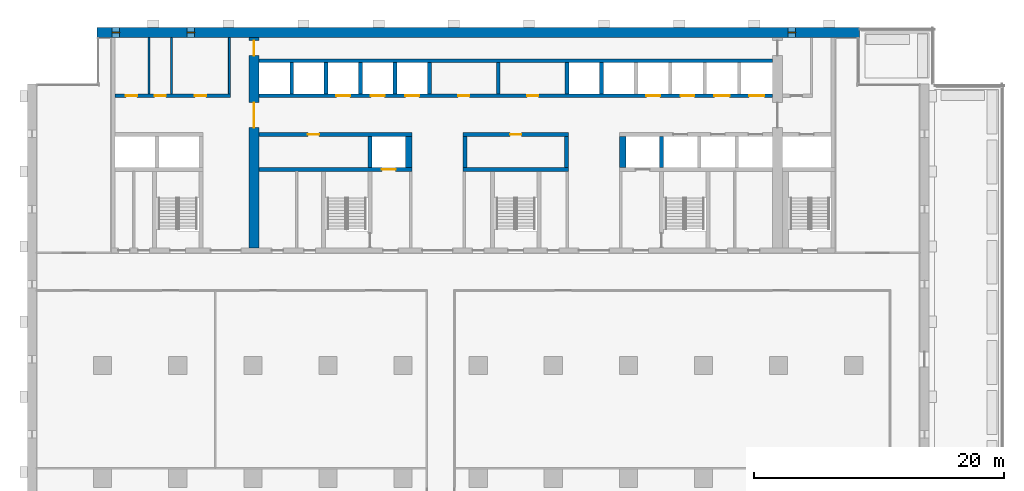
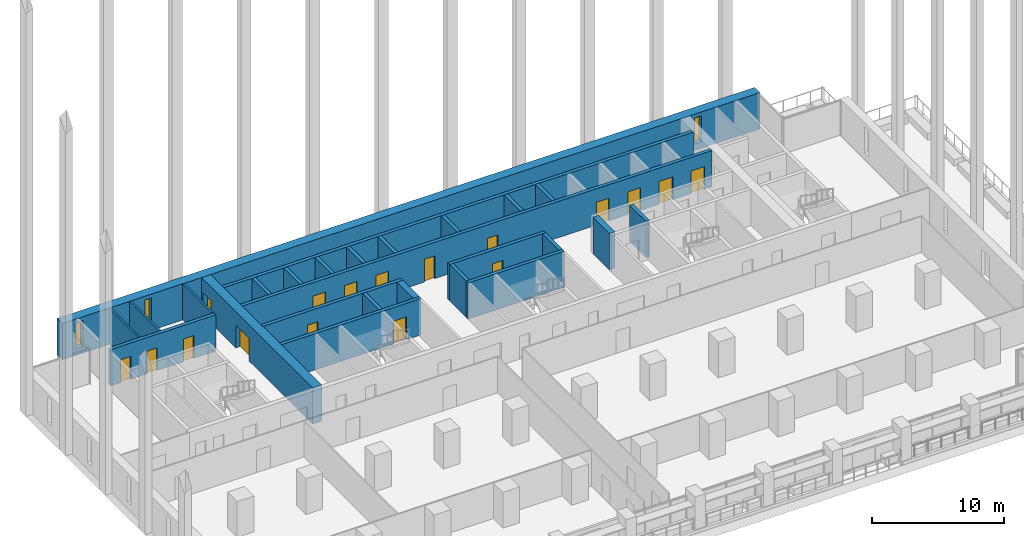
# One storey, part 10 of 18: 26 walls, 17 doors, 3 windows, 20 openings.
"""IFC4 building model written with IfcOpenShell, lengths in metres."""

from ifc_helpers import new_model, si_unit, direction, frame, frame_2d, origin, place, context, subcontext, project, spatial, rectangle, extrude, material, layer, layer_set, type_object, element, fill, save


model = new_model("IFC4")

# Units and contexts
model_context = context("Model", 3, precision=1e-05, world=origin(), true_north=direction((0.0, 1.0)))
body_context = subcontext(model_context, "Body", "Model", "MODEL_VIEW")
ifc_project = project(units=[si_unit("LENGTHUNIT", "METRE"), si_unit("AREAUNIT", "SQUARE_METRE"), si_unit("VOLUMEUNIT", "CUBIC_METRE"), si_unit("PLANEANGLEUNIT", "RADIAN"), si_unit("MASSUNIT", "GRAM", prefix="KILO")], contexts=[model_context])

# Site, building, storey
site_placement = place(None, origin())
site = spatial("IfcSite", under=ifc_project, at=site_placement, CompositionType="ELEMENT")
building_placement = place(site_placement, origin())
building = spatial("IfcBuilding", under=site, at=building_placement, Name="Calvaro Tower", CompositionType="ELEMENT")
storey_placement = place(building_placement, frame((0.0, 0.0, 95.0)))
storey = spatial("IfcBuildingStorey", under=building, at=storey_placement, Name="L23", CompositionType="ELEMENT", Elevation=95.0)

# Walls
ifc_material_1 = material(Name="Blockwork partition", Category="masonry")
ifc_layer_1 = layer(ifc_material_1, 0.14990234375)
ifc_layer_set_1 = layer_set([ifc_layer_1], Name="Blockwork partition")
wall_type_1 = type_object("IfcWallType", Name="Core partition 150 EI 60", PredefinedType="PARTITIONING", material=ifc_layer_set_1)
for number, where, z_axis, x_axis, name in (
    (1, (9.699951171875, 40.699951171875, 0.0), (0.0, 0.0, 1.0), (0.0, 1.0, 0.0), "Core partition"),
    (2, (11.5, 40.699951171875, 0.0), (0.0, 0.0, 1.0), (0.0, 1.0, 0.0), "Core partition"),
):
    element("IfcWall", number, at=place(storey_placement, frame(where, z_axis=z_axis, x_axis=x_axis)), inside=storey, type_object=wall_type_1, Name=name, PredefinedType="PARTITIONING", context=body_context, shape_type="SweptSolid", body=[
        extrude(rectangle(XDim=4.5, YDim=0.14990234375, at=frame_2d((2.25, 0.0))), origin(), (0.0, 0.0, 1.0), 3.35009765625),
    ])
ifc_material_2 = material(Name="Blockwork partition", Category="masonry")
ifc_layer_2 = layer(ifc_material_2, 0.14990234375)
ifc_layer_set_2 = layer_set([ifc_layer_2], Name="Blockwork partition")
wall_type_2 = type_object("IfcWallType", Name="Core partition 150 REI 120", PredefinedType="PARTITIONING", material=ifc_layer_set_2)
wall_1_placement = place(storey_placement, frame((16.125, 40.699951171875, 0.0), z_axis=(0.0, 0.0, 1.0), x_axis=(0.0, 1.0, 0.0)))
element("IfcWall", 3, at=wall_1_placement, inside=storey, type_object=wall_type_2, Name="Core partition", PredefinedType="PARTITIONING", context=body_context, shape_type="SweptSolid", body=[
    extrude(rectangle(XDim=4.5, YDim=0.14990234375, at=frame_2d((2.25, 0.0))), origin(), (0.0, 0.0, 1.0), 3.35009765625),
])

# Wall, openings, doors
ifc_material_3 = material(Name="Blockwork partition", Category="masonry")
ifc_layer_3 = layer(ifc_material_3, 0.300048828125)
ifc_layer_set_3 = layer_set([ifc_layer_3], Name="Blockwork partition")
wall_type_3 = type_object("IfcWallType", Name="Core partition 300 REI 120", PredefinedType="PARTITIONING", material=ifc_layer_set_3)
wall_2_placement = place(storey_placement, frame((7.0, 40.550048828125, 0.0), z_axis=(0.0, 0.0, 1.0), x_axis=(1.0, 0.0, 0.0)))
wall_2 = element("IfcWall", 4, at=wall_2_placement, inside=storey, type_object=wall_type_3, Name="Core partition", PredefinedType="PARTITIONING", context=body_context, shape_type="SweptSolid", body=[
    extrude(rectangle(XDim=9.199951171875, YDim=0.300048828125, at=frame_2d((4.60009765625, 0.0))), origin(), (0.0, 0.0, 1.0), 3.35009765625),
])
opening_1_placement = place(wall_2_placement, frame((0.862548828125, 0.0, 0.0)))
opening_1 = element("IfcOpeningElement", 5, at=opening_1_placement, cuts=wall_2, Name="Opening RD9", PredefinedType="OPENING", context=body_context, shape_type="SweptSolid", body=[
    extrude(rectangle(XDim=0.89990234375, YDim=2.10009765625, at=frame_2d((0.449951171875, 1.050048828125))), frame((0.0, 0.159912109375, 0.0), z_axis=(0.0, -1.0, 0.0), x_axis=(1.0, 0.0, 0.0)), (0.0, 0.0, 1.0), 0.320068359375),
])
opening_2_placement = place(wall_2_placement, frame((3.14990234375, 0.0, 0.0)))
opening_2 = element("IfcOpeningElement", 6, at=opening_2_placement, cuts=wall_2, Name="Opening RD9", PredefinedType="OPENING", context=body_context, shape_type="SweptSolid", body=[
    extrude(rectangle(XDim=0.89990234375, YDim=2.10009765625, at=frame_2d((0.449951171875, 1.050048828125))), frame((0.0, 0.159912109375, 0.0), z_axis=(0.0, -1.0, 0.0), x_axis=(1.0, 0.0, 0.0)), (0.0, 0.0, 1.0), 0.320068359375),
])
opening_3_placement = place(wall_2_placement, frame((6.362548828125, 0.0, 0.0)))
opening_3 = element("IfcOpeningElement", 7, at=opening_3_placement, cuts=wall_2, Name="Opening RD9", PredefinedType="OPENING", context=body_context, shape_type="SweptSolid", body=[
    extrude(rectangle(XDim=0.89990234375, YDim=2.10009765625, at=frame_2d((0.449951171875, 1.050048828125))), frame((0.0, 0.159912109375, 0.0), z_axis=(0.0, -1.0, 0.0), x_axis=(1.0, 0.0, 0.0)), (0.0, 0.0, 1.0), 0.320068359375),
])
ifc_material_4 = material(Name="Steel door set", Category="steel")
door_type_1 = type_object("IfcDoorType", Name="Room door 900", OperationType="SINGLE_SWING_LEFT", PredefinedType="DOOR", material=ifc_material_4)
door_1_placement = place(opening_1_placement, origin())
door_1 = element("IfcDoor", 8, at=door_1_placement, inside=storey, type_object=door_type_1, Name="Room door", OperationType="SINGLE_SWING_LEFT", OverallHeight=2.10009765625, OverallWidth=0.89990234375, PredefinedType="DOOR", context=body_context, shape_type="SweptSolid", body=[
    extrude(rectangle(XDim=0.89990234375, YDim=2.10009765625, at=frame_2d((0.449951171875, 1.050048828125))), frame((0.0, 0.02490234375, 0.0), z_axis=(0.0, -1.0, 0.0), x_axis=(1.0, 0.0, 0.0)), (0.0, 0.0, 1.0), 0.050048828125),
])
fill(opening_1, door_1)
door_2_placement = place(opening_2_placement, origin())
door_2 = element("IfcDoor", 9, at=door_2_placement, inside=storey, type_object=door_type_1, Name="Room door", OperationType="SINGLE_SWING_LEFT", OverallHeight=2.10009765625, OverallWidth=0.89990234375, PredefinedType="DOOR", context=body_context, shape_type="SweptSolid", body=[
    extrude(rectangle(XDim=0.89990234375, YDim=2.10009765625, at=frame_2d((0.449951171875, 1.050048828125))), frame((0.0, 0.02490234375, 0.0), z_axis=(0.0, -1.0, 0.0), x_axis=(1.0, 0.0, 0.0)), (0.0, 0.0, 1.0), 0.050048828125),
])
fill(opening_2, door_2)
door_3_placement = place(opening_3_placement, origin())
door_3 = element("IfcDoor", 10, at=door_3_placement, inside=storey, type_object=door_type_1, Name="Room door", OperationType="SINGLE_SWING_LEFT", OverallHeight=2.10009765625, OverallWidth=0.89990234375, PredefinedType="DOOR", context=body_context, shape_type="SweptSolid", body=[
    extrude(rectangle(XDim=0.89990234375, YDim=2.10009765625, at=frame_2d((0.449951171875, 1.050048828125))), frame((0.0, 0.02490234375, 0.0), z_axis=(0.0, -1.0, 0.0), x_axis=(1.0, 0.0, 0.0)), (0.0, 0.0, 1.0), 0.050048828125),
])
fill(opening_3, door_3)

# Wall
wall_3_placement = place(storey_placement, frame((37.60009765625, 40.699951171875, 0.0), z_axis=(0.0, 0.0, 1.0), x_axis=(0.0, 1.0, 0.0)))
element("IfcWall", 11, at=wall_3_placement, inside=storey, type_object=wall_type_3, Name="Core partition", PredefinedType="PARTITIONING", context=body_context, shape_type="SweptSolid", body=[
    extrude(rectangle(XDim=2.5, YDim=0.300048828125, at=frame_2d((1.25, 0.0))), origin(), (0.0, 0.0, 1.0), 3.35009765625),
])

# Wall, opening, door
ifc_material_5 = material(Name="Concrete C60/75", Category="concrete")
ifc_layer_4 = layer(ifc_material_5, 0.300048828125)
ifc_layer_set_4 = layer_set([ifc_layer_4], Name="Concrete C60/75")
wall_type_4 = type_object("IfcWallType", Name="Core wall C60/75 300", PredefinedType="SHEAR", material=ifc_layer_set_4)
wall_4_placement = place(storey_placement, frame((18.5, 34.64990234375, 0.0), z_axis=(0.0, 0.0, 1.0), x_axis=(1.0, 0.0, 0.0)))
wall_4 = element("IfcWall", 12, at=wall_4_placement, inside=storey, type_object=wall_type_4, Name="Core wall, lift shaft", PredefinedType="SHEAR", context=body_context, shape_type="SweptSolid", body=[
    extrude(rectangle(XDim=12.199951171875, YDim=0.300048828125, at=frame_2d((6.10009765625, 0.0))), origin(), (0.0, 0.0, 1.0), 3.35009765625),
])
opening_4_placement = place(wall_4_placement, frame((9.800048828125, 0.0, 0.0)))
opening_4 = element("IfcOpeningElement", 13, at=opening_4_placement, cuts=wall_4, Name="Opening FF1", PredefinedType="OPENING", context=body_context, shape_type="SweptSolid", body=[
    extrude(rectangle(XDim=1.10009765625, YDim=2.10009765625, at=frame_2d((0.550048828125, 1.050048828125))), frame((0.0, 0.159912109375, 0.0), z_axis=(0.0, -1.0, 0.0), x_axis=(1.0, 0.0, 0.0)), (0.0, 0.0, 1.0), 0.320068359375),
])
ifc_material_6 = material(Name="Stainless steel", Category="steel")
door_type_2 = type_object("IfcDoorType", Name="Landing door 1100 E 60", OperationType="SLIDING_TO_LEFT", PredefinedType="DOOR", material=ifc_material_6)
door_4_placement = place(opening_4_placement, origin())
door_4 = element("IfcDoor", 14, at=door_4_placement, inside=storey, type_object=door_type_2, Name="Landing door FF1", OperationType="SLIDING_TO_LEFT", OverallHeight=2.10009765625, OverallWidth=1.10009765625, PredefinedType="DOOR", context=body_context, shape_type="SweptSolid", body=[
    extrude(rectangle(XDim=1.10009765625, YDim=2.10009765625, at=frame_2d((0.550048828125, 1.050048828125))), frame((0.0, 0.02490234375, 0.0), z_axis=(0.0, -1.0, 0.0), x_axis=(1.0, 0.0, 0.0)), (0.0, 0.0, 1.0), 0.050048828125),
])
fill(opening_4, door_4)

# Wall
wall_5_placement = place(storey_placement, frame((34.800048828125, 34.64990234375, 0.0), z_axis=(0.0, 0.0, 1.0), x_axis=(1.0, 0.0, 0.0)))
element("IfcWall", 15, at=wall_5_placement, inside=storey, type_object=wall_type_4, Name="Core wall, lift shaft", PredefinedType="SHEAR", context=body_context, shape_type="SweptSolid", body=[
    extrude(rectangle(XDim=8.39990234375, YDim=0.300048828125, at=frame_2d((4.199951171875, 0.0))), origin(), (0.0, 0.0, 1.0), 3.35009765625),
])

# Wall, opening, door
wall_6_placement = place(storey_placement, frame((30.699951171875, 37.449951171875, 0.0), z_axis=(0.0, 0.0, 1.0), x_axis=(-1.0, 0.0, 0.0)))
wall_6 = element("IfcWall", 16, at=wall_6_placement, inside=storey, type_object=wall_type_4, Name="Core wall, bay", PredefinedType="SHEAR", context=body_context, shape_type="SweptSolid", body=[
    extrude(rectangle(XDim=12.199951171875, YDim=0.300048828125, at=frame_2d((6.10009765625, 0.0))), origin(), (0.0, 0.0, 1.0), 3.35009765625),
])
opening_5_placement = place(wall_6_placement, frame((7.39990234375, 0.0, 0.0)))
opening_5 = element("IfcOpeningElement", 17, at=opening_5_placement, cuts=wall_6, Name="Opening RD9E", PredefinedType="OPENING", context=body_context, shape_type="SweptSolid", body=[
    extrude(rectangle(XDim=0.89990234375, YDim=2.10009765625, at=frame_2d((0.449951171875, 1.050048828125))), frame((0.0, 0.159912109375, 0.0), z_axis=(0.0, -1.0, 0.0), x_axis=(1.0, 0.0, 0.0)), (0.0, 0.0, 1.0), 0.320068359375),
])
ifc_material_7 = material(Name="Steel door set", Category="steel")
door_type_3 = type_object("IfcDoorType", Name="Room door 900 FD60", OperationType="SINGLE_SWING_LEFT", PredefinedType="DOOR", material=ifc_material_7)
door_5_placement = place(opening_5_placement, origin())
door_5 = element("IfcDoor", 18, at=door_5_placement, inside=storey, type_object=door_type_3, Name="Room door", OperationType="SINGLE_SWING_LEFT", OverallHeight=2.10009765625, OverallWidth=0.89990234375, PredefinedType="DOOR", context=body_context, shape_type="SweptSolid", body=[
    extrude(rectangle(XDim=0.89990234375, YDim=2.10009765625, at=frame_2d((0.449951171875, 1.050048828125))), frame((0.0, 0.02490234375, 0.0), z_axis=(0.0, -1.0, 0.0), x_axis=(1.0, 0.0, 0.0)), (0.0, 0.0, 1.0), 0.050048828125),
])
fill(opening_5, door_5)

wall_7_placement = place(storey_placement, frame((43.199951171875, 37.449951171875, 0.0), z_axis=(0.0, 0.0, 1.0), x_axis=(-1.0, 0.0, 0.0)))
wall_7 = element("IfcWall", 19, at=wall_7_placement, inside=storey, type_object=wall_type_4, Name="Core wall, bay", PredefinedType="SHEAR", context=body_context, shape_type="SweptSolid", body=[
    extrude(rectangle(XDim=8.39990234375, YDim=0.300048828125, at=frame_2d((4.199951171875, 0.0))), origin(), (0.0, 0.0, 1.0), 3.35009765625),
])
opening_6_placement = place(wall_7_placement, frame((3.75, 0.0, 0.0)))
opening_6 = element("IfcOpeningElement", 20, at=opening_6_placement, cuts=wall_7, Name="Opening RD9E", PredefinedType="OPENING", context=body_context, shape_type="SweptSolid", body=[
    extrude(rectangle(XDim=0.89990234375, YDim=2.10009765625, at=frame_2d((0.449951171875, 1.050048828125))), frame((0.0, 0.159912109375, 0.0), z_axis=(0.0, -1.0, 0.0), x_axis=(1.0, 0.0, 0.0)), (0.0, 0.0, 1.0), 0.320068359375),
])
door_6_placement = place(opening_6_placement, origin())
door_6 = element("IfcDoor", 21, at=door_6_placement, inside=storey, type_object=door_type_3, Name="Room door", OperationType="SINGLE_SWING_RIGHT", OverallHeight=2.10009765625, OverallWidth=0.89990234375, PredefinedType="DOOR", context=body_context, shape_type="SweptSolid", body=[
    extrude(rectangle(XDim=0.89990234375, YDim=2.10009765625, at=frame_2d((0.449951171875, 1.050048828125))), frame((0.0, 0.02490234375, 0.0), z_axis=(0.0, -1.0, 0.0), x_axis=(1.0, 0.0, 0.0)), (0.0, 0.0, 1.0), 0.050048828125),
])
fill(opening_6, door_6)

# Walls
for number, where, z_axis, x_axis, name in (
    (22, (27.35009765625, 34.800048828125, 0.0), (0.0, 0.0, 1.0), (0.0, 1.0, 0.0), "Core wall, lift shaft"),
    (23, (34.949951171875, 34.800048828125, 0.0), (0.0, 0.0, 1.0), (0.0, 1.0, 0.0), "Core wall, lift shaft"),
    (24, (43.050048828125, 34.800048828125, 0.0), (0.0, 0.0, 1.0), (0.0, 1.0, 0.0), "Core wall, lift shaft"),
    (25, (50.64990234375, 34.800048828125, 0.0), (0.0, 0.0, 1.0), (0.0, 1.0, 0.0), "Core wall, lift shaft"),
):
    element("IfcWall", number, at=place(storey_placement, frame(where, z_axis=z_axis, x_axis=x_axis)), inside=storey, type_object=wall_type_4, Name=name, PredefinedType="SHEAR", context=body_context, shape_type="SweptSolid", body=[
        extrude(rectangle(XDim=2.5, YDim=0.300048828125, at=frame_2d((1.25, 0.0))), origin(), (0.0, 0.0, 1.0), 3.35009765625),
    ])

# Wall, openings, doors
wall_8_placement = place(storey_placement, frame((18.5, 40.550048828125, 0.0), z_axis=(0.0, 0.0, 1.0), x_axis=(1.0, 0.0, 0.0)))
wall_8 = element("IfcWall", 26, at=wall_8_placement, inside=storey, type_object=wall_type_4, Name="Core wall, bay", PredefinedType="SHEAR", context=body_context, shape_type="SweptSolid", body=[
    extrude(rectangle(XDim=41.0, YDim=0.300048828125, at=frame_2d((20.5, 0.0))), origin(), (0.0, 0.0, 1.0), 3.35009765625),
])
opening_7_placement = place(wall_8_placement, frame((15.89990234375, 0.0, 0.0)))
opening_7 = element("IfcOpeningElement", 27, at=opening_7_placement, cuts=wall_8, Name="Opening RD9E", PredefinedType="OPENING", context=body_context, shape_type="SweptSolid", body=[
    extrude(rectangle(XDim=0.89990234375, YDim=2.10009765625, at=frame_2d((0.449951171875, 1.050048828125))), frame((0.0, 0.159912109375, 0.0), z_axis=(0.0, -1.0, 0.0), x_axis=(1.0, 0.0, 0.0)), (0.0, 0.0, 1.0), 0.320068359375),
])
opening_8_placement = place(wall_8_placement, frame((21.39990234375, 0.0, 0.0)))
opening_8 = element("IfcOpeningElement", 28, at=opening_8_placement, cuts=wall_8, Name="Opening RD9E", PredefinedType="OPENING", context=body_context, shape_type="SweptSolid", body=[
    extrude(rectangle(XDim=0.89990234375, YDim=2.10009765625, at=frame_2d((0.449951171875, 1.050048828125))), frame((0.0, 0.159912109375, 0.0), z_axis=(0.0, -1.0, 0.0), x_axis=(1.0, 0.0, 0.0)), (0.0, 0.0, 1.0), 0.320068359375),
])
opening_9_placement = place(wall_8_placement, frame((6.175048828125, 0.0, 0.0)))
opening_9 = element("IfcOpeningElement", 29, at=opening_9_placement, cuts=wall_8, Name="Opening MR4", PredefinedType="OPENING", context=body_context, shape_type="SweptSolid", body=[
    extrude(rectangle(XDim=1.10009765625, YDim=2.10009765625, at=frame_2d((0.550048828125, 1.050048828125))), frame((0.0, 0.159912109375, 0.0), z_axis=(0.0, -1.0, 0.0), x_axis=(1.0, 0.0, 0.0)), (0.0, 0.0, 1.0), 0.320068359375),
])
opening_10_placement = place(wall_8_placement, frame((8.925048828125, 0.0, 0.0)))
opening_10 = element("IfcOpeningElement", 30, at=opening_10_placement, cuts=wall_8, Name="Opening MR5", PredefinedType="OPENING", context=body_context, shape_type="SweptSolid", body=[
    extrude(rectangle(XDim=1.10009765625, YDim=2.10009765625, at=frame_2d((0.550048828125, 1.050048828125))), frame((0.0, 0.159912109375, 0.0), z_axis=(0.0, -1.0, 0.0), x_axis=(1.0, 0.0, 0.0)), (0.0, 0.0, 1.0), 0.320068359375),
])
opening_11_placement = place(wall_8_placement, frame((11.675048828125, 0.0, 0.0)))
opening_11 = element("IfcOpeningElement", 31, at=opening_11_placement, cuts=wall_8, Name="Opening MR6", PredefinedType="OPENING", context=body_context, shape_type="SweptSolid", body=[
    extrude(rectangle(XDim=1.10009765625, YDim=2.10009765625, at=frame_2d((0.550048828125, 1.050048828125))), frame((0.0, 0.159912109375, 0.0), z_axis=(0.0, -1.0, 0.0), x_axis=(1.0, 0.0, 0.0)), (0.0, 0.0, 1.0), 0.320068359375),
])
opening_12_placement = place(wall_8_placement, frame((30.925048828125, 0.0, 0.0)))
opening_12 = element("IfcOpeningElement", 32, at=opening_12_placement, cuts=wall_8, Name="Opening MR7", PredefinedType="OPENING", context=body_context, shape_type="SweptSolid", body=[
    extrude(rectangle(XDim=1.10009765625, YDim=2.10009765625, at=frame_2d((0.550048828125, 1.050048828125))), frame((0.0, 0.159912109375, 0.0), z_axis=(0.0, -1.0, 0.0), x_axis=(1.0, 0.0, 0.0)), (0.0, 0.0, 1.0), 0.320068359375),
])
opening_13_placement = place(wall_8_placement, frame((33.675048828125, 0.0, 0.0)))
opening_13 = element("IfcOpeningElement", 33, at=opening_13_placement, cuts=wall_8, Name="Opening MR8", PredefinedType="OPENING", context=body_context, shape_type="SweptSolid", body=[
    extrude(rectangle(XDim=1.10009765625, YDim=2.10009765625, at=frame_2d((0.550048828125, 1.050048828125))), frame((0.0, 0.159912109375, 0.0), z_axis=(0.0, -1.0, 0.0), x_axis=(1.0, 0.0, 0.0)), (0.0, 0.0, 1.0), 0.320068359375),
])
opening_14_placement = place(wall_8_placement, frame((36.375, 0.0, 0.0)))
opening_14 = element("IfcOpeningElement", 34, at=opening_14_placement, cuts=wall_8, Name="Opening SV1", PredefinedType="OPENING", context=body_context, shape_type="SweptSolid", body=[
    extrude(rectangle(XDim=1.199951171875, YDim=2.10009765625, at=frame_2d((0.60009765625, 1.050048828125))), frame((0.0, 0.159912109375, 0.0), z_axis=(0.0, -1.0, 0.0), x_axis=(1.0, 0.0, 0.0)), (0.0, 0.0, 1.0), 0.320068359375),
])
opening_15_placement = place(wall_8_placement, frame((39.14990234375, 0.0, 0.0)))
opening_15 = element("IfcOpeningElement", 35, at=opening_15_placement, cuts=wall_8, Name="Opening SV2", PredefinedType="OPENING", context=body_context, shape_type="SweptSolid", body=[
    extrude(rectangle(XDim=1.199951171875, YDim=2.10009765625, at=frame_2d((0.60009765625, 1.050048828125))), frame((0.0, 0.159912109375, 0.0), z_axis=(0.0, -1.0, 0.0), x_axis=(1.0, 0.0, 0.0)), (0.0, 0.0, 1.0), 0.320068359375),
])
door_7_placement = place(opening_9_placement, origin())
door_7 = element("IfcDoor", 36, at=door_7_placement, inside=storey, type_object=door_type_2, Name="Landing door MR4", OperationType="SLIDING_TO_LEFT", OverallHeight=2.10009765625, OverallWidth=1.10009765625, PredefinedType="DOOR", context=body_context, shape_type="SweptSolid", body=[
    extrude(rectangle(XDim=1.10009765625, YDim=2.10009765625, at=frame_2d((0.550048828125, 1.050048828125))), frame((0.0, 0.02490234375, 0.0), z_axis=(0.0, -1.0, 0.0), x_axis=(1.0, 0.0, 0.0)), (0.0, 0.0, 1.0), 0.050048828125),
])
fill(opening_9, door_7)
door_8_placement = place(opening_10_placement, origin())
door_8 = element("IfcDoor", 37, at=door_8_placement, inside=storey, type_object=door_type_2, Name="Landing door MR5", OperationType="SLIDING_TO_LEFT", OverallHeight=2.10009765625, OverallWidth=1.10009765625, PredefinedType="DOOR", context=body_context, shape_type="SweptSolid", body=[
    extrude(rectangle(XDim=1.10009765625, YDim=2.10009765625, at=frame_2d((0.550048828125, 1.050048828125))), frame((0.0, 0.02490234375, 0.0), z_axis=(0.0, -1.0, 0.0), x_axis=(1.0, 0.0, 0.0)), (0.0, 0.0, 1.0), 0.050048828125),
])
fill(opening_10, door_8)
door_9_placement = place(opening_11_placement, origin())
door_9 = element("IfcDoor", 38, at=door_9_placement, inside=storey, type_object=door_type_2, Name="Landing door MR6", OperationType="SLIDING_TO_LEFT", OverallHeight=2.10009765625, OverallWidth=1.10009765625, PredefinedType="DOOR", context=body_context, shape_type="SweptSolid", body=[
    extrude(rectangle(XDim=1.10009765625, YDim=2.10009765625, at=frame_2d((0.550048828125, 1.050048828125))), frame((0.0, 0.02490234375, 0.0), z_axis=(0.0, -1.0, 0.0), x_axis=(1.0, 0.0, 0.0)), (0.0, 0.0, 1.0), 0.050048828125),
])
fill(opening_11, door_9)
door_10_placement = place(opening_12_placement, origin())
door_10 = element("IfcDoor", 39, at=door_10_placement, inside=storey, type_object=door_type_2, Name="Landing door MR7", OperationType="SLIDING_TO_LEFT", OverallHeight=2.10009765625, OverallWidth=1.10009765625, PredefinedType="DOOR", context=body_context, shape_type="SweptSolid", body=[
    extrude(rectangle(XDim=1.10009765625, YDim=2.10009765625, at=frame_2d((0.550048828125, 1.050048828125))), frame((0.0, 0.02490234375, 0.0), z_axis=(0.0, -1.0, 0.0), x_axis=(1.0, 0.0, 0.0)), (0.0, 0.0, 1.0), 0.050048828125),
])
fill(opening_12, door_10)
door_11_placement = place(opening_13_placement, origin())
door_11 = element("IfcDoor", 40, at=door_11_placement, inside=storey, type_object=door_type_2, Name="Landing door MR8", OperationType="SLIDING_TO_LEFT", OverallHeight=2.10009765625, OverallWidth=1.10009765625, PredefinedType="DOOR", context=body_context, shape_type="SweptSolid", body=[
    extrude(rectangle(XDim=1.10009765625, YDim=2.10009765625, at=frame_2d((0.550048828125, 1.050048828125))), frame((0.0, 0.02490234375, 0.0), z_axis=(0.0, -1.0, 0.0), x_axis=(1.0, 0.0, 0.0)), (0.0, 0.0, 1.0), 0.050048828125),
])
fill(opening_13, door_11)
ifc_material_8 = material(Name="Stainless steel", Category="steel")
door_type_4 = type_object("IfcDoorType", Name="Landing door 1200 E 60", OperationType="SLIDING_TO_LEFT", PredefinedType="DOOR", material=ifc_material_8)
door_12_placement = place(opening_14_placement, origin())
door_12 = element("IfcDoor", 41, at=door_12_placement, inside=storey, type_object=door_type_4, Name="Landing door SV1", OperationType="SLIDING_TO_LEFT", OverallHeight=2.10009765625, OverallWidth=1.199951171875, PredefinedType="DOOR", context=body_context, shape_type="SweptSolid", body=[
    extrude(rectangle(XDim=1.199951171875, YDim=2.10009765625, at=frame_2d((0.60009765625, 1.050048828125))), frame((0.0, 0.02490234375, 0.0), z_axis=(0.0, -1.0, 0.0), x_axis=(1.0, 0.0, 0.0)), (0.0, 0.0, 1.0), 0.050048828125),
])
fill(opening_14, door_12)
door_13_placement = place(opening_15_placement, origin())
door_13 = element("IfcDoor", 42, at=door_13_placement, inside=storey, type_object=door_type_4, Name="Landing door SV2", OperationType="SLIDING_TO_LEFT", OverallHeight=2.10009765625, OverallWidth=1.199951171875, PredefinedType="DOOR", context=body_context, shape_type="SweptSolid", body=[
    extrude(rectangle(XDim=1.199951171875, YDim=2.10009765625, at=frame_2d((0.60009765625, 1.050048828125))), frame((0.0, 0.02490234375, 0.0), z_axis=(0.0, -1.0, 0.0), x_axis=(1.0, 0.0, 0.0)), (0.0, 0.0, 1.0), 0.050048828125),
])
fill(opening_15, door_13)
door_14_placement = place(opening_7_placement, origin())
door_14 = element("IfcDoor", 43, at=door_14_placement, inside=storey, type_object=door_type_3, Name="Room door", OperationType="SINGLE_SWING_LEFT", OverallHeight=2.10009765625, OverallWidth=0.89990234375, PredefinedType="DOOR", context=body_context, shape_type="SweptSolid", body=[
    extrude(rectangle(XDim=0.89990234375, YDim=2.10009765625, at=frame_2d((0.449951171875, 1.050048828125))), frame((0.0, 0.02490234375, 0.0), z_axis=(0.0, -1.0, 0.0), x_axis=(1.0, 0.0, 0.0)), (0.0, 0.0, 1.0), 0.050048828125),
])
fill(opening_7, door_14)
door_15_placement = place(opening_8_placement, origin())
door_15 = element("IfcDoor", 44, at=door_15_placement, inside=storey, type_object=door_type_3, Name="Room door", OperationType="SINGLE_SWING_LEFT", OverallHeight=2.10009765625, OverallWidth=0.89990234375, PredefinedType="DOOR", context=body_context, shape_type="SweptSolid", body=[
    extrude(rectangle(XDim=0.89990234375, YDim=2.10009765625, at=frame_2d((0.449951171875, 1.050048828125))), frame((0.0, 0.02490234375, 0.0), z_axis=(0.0, -1.0, 0.0), x_axis=(1.0, 0.0, 0.0)), (0.0, 0.0, 1.0), 0.050048828125),
])
fill(opening_8, door_15)

# Walls
wall_9_placement = place(storey_placement, frame((18.5, 43.35009765625, 0.0), z_axis=(0.0, 0.0, 1.0), x_axis=(1.0, 0.0, 0.0)))
element("IfcWall", 45, at=wall_9_placement, inside=storey, type_object=wall_type_4, Name="Core wall, lift shaft", PredefinedType="SHEAR", context=body_context, shape_type="SweptSolid", body=[
    extrude(rectangle(XDim=41.0, YDim=0.300048828125, at=frame_2d((20.5, 0.0))), origin(), (0.0, 0.0, 1.0), 3.35009765625),
])
for number, where, z_axis, x_axis, name in (
    (46, (21.10009765625, 40.699951171875, 0.0), (0.0, 0.0, 1.0), (0.0, 1.0, 0.0), "Core wall, lift shaft"),
    (47, (23.85009765625, 40.699951171875, 0.0), (0.0, 0.0, 1.0), (0.0, 1.0, 0.0), "Core wall, lift shaft"),
    (48, (26.60009765625, 40.699951171875, 0.0), (0.0, 0.0, 1.0), (0.0, 1.0, 0.0), "Core wall, lift shaft"),
    (49, (29.35009765625, 40.699951171875, 0.0), (0.0, 0.0, 1.0), (0.0, 1.0, 0.0), "Core wall, lift shaft"),
    (50, (32.10009765625, 40.699951171875, 0.0), (0.0, 0.0, 1.0), (0.0, 1.0, 0.0), "Core wall, lift shaft"),
    (51, (43.10009765625, 40.699951171875, 0.0), (0.0, 0.0, 1.0), (0.0, 1.0, 0.0), "Core wall, lift shaft"),
    (52, (45.85009765625, 40.699951171875, 0.0), (0.0, 0.0, 1.0), (0.0, 1.0, 0.0), "Core wall, lift shaft"),
):
    element("IfcWall", number, at=place(storey_placement, frame(where, z_axis=z_axis, x_axis=x_axis)), inside=storey, type_object=wall_type_4, Name=name, PredefinedType="SHEAR", context=body_context, shape_type="SweptSolid", body=[
        extrude(rectangle(XDim=2.5, YDim=0.300048828125, at=frame_2d((1.25, 0.0))), origin(), (0.0, 0.0, 1.0), 3.35009765625),
    ])
ifc_material_9 = material(Name="Concrete C60/75", Category="concrete")
ifc_layer_5 = layer(ifc_material_9, 0.5)
ifc_layer_set_5 = layer_set([ifc_layer_5], Name="Concrete C60/75")
wall_type_5 = type_object("IfcWallType", Name="Core wall C60/75 500", PredefinedType="SHEAR", material=ifc_layer_set_5)
for number, where, z_axis, x_axis, name in (
    (53, (30.449951171875, 34.800048828125, 0.0), (0.0, 0.0, 1.0), (0.0, 1.0, 0.0), "Core wall, lift shaft"),
    (54, (47.550048828125, 34.800048828125, 0.0), (0.0, 0.0, 1.0), (0.0, 1.0, 0.0), "Core wall, lift shaft"),
):
    element("IfcWall", number, at=place(storey_placement, frame(where, z_axis=z_axis, x_axis=x_axis)), inside=storey, type_object=wall_type_5, Name=name, PredefinedType="SHEAR", context=body_context, shape_type="SweptSolid", body=[
        extrude(rectangle(XDim=2.5, YDim=0.5, at=frame_2d((1.25, 0.0))), origin(), (0.0, 0.0, 1.0), 3.35009765625),
    ])

# Wall, openings, doors
ifc_material_10 = material(Name="Concrete C60/75", Category="concrete")
ifc_layer_6 = layer(ifc_material_10, 0.800048828125)
ifc_layer_set_6 = layer_set([ifc_layer_6], Name="Concrete C60/75")
wall_type_6 = type_object("IfcWallType", Name="Core wall C60/75 800", PredefinedType="SHEAR", material=ifc_layer_set_6)
wall_10_placement = place(storey_placement, frame((18.10009765625, 28.39990234375, 0.0), z_axis=(0.0, 0.0, 1.0), x_axis=(0.0, 1.0, 0.0)))
wall_10 = element("IfcWall", 55, at=wall_10_placement, inside=storey, type_object=wall_type_6, Name="Core wall, cross shear wall", PredefinedType="SHEAR", context=body_context, shape_type="SweptSolid", body=[
    extrude(rectangle(XDim=16.800048828125, YDim=0.800048828125, at=frame_2d((8.39990234375, 0.0))), origin(), (0.0, 0.0, 1.0), 3.35009765625),
])
opening_16_placement = place(wall_10_placement, frame((9.60009765625, 0.0, 0.0)))
opening_16 = element("IfcOpeningElement", 56, at=opening_16_placement, cuts=wall_10, Name="Opening DD20D", PredefinedType="OPENING", context=body_context, shape_type="SweptSolid", body=[
    extrude(rectangle(XDim=2.0, YDim=2.10009765625, at=frame_2d((1.0, 1.050048828125))), frame((0.0, 0.409912109375, 0.0), z_axis=(0.0, -1.0, 0.0), x_axis=(1.0, 0.0, 0.0)), (0.0, 0.0, 1.0), 0.820068359375),
])
opening_17_placement = place(wall_10_placement, frame((15.35009765625, 0.0, 0.0)))
opening_17 = element("IfcOpeningElement", 57, at=opening_17_placement, cuts=wall_10, Name="Opening FD12C", PredefinedType="OPENING", context=body_context, shape_type="SweptSolid", body=[
    extrude(rectangle(XDim=1.199951171875, YDim=2.10009765625, at=frame_2d((0.60009765625, 1.050048828125))), frame((0.0, 0.409912109375, 0.0), z_axis=(0.0, -1.0, 0.0), x_axis=(1.0, 0.0, 0.0)), (0.0, 0.0, 1.0), 0.820068359375),
])
ifc_material_11 = material(Name="Steel door set", Category="steel")
door_type_5 = type_object("IfcDoorType", Name="Fire door 1200 FD30", OperationType="SINGLE_SWING_LEFT", PredefinedType="DOOR", material=ifc_material_11)
door_16_placement = place(opening_17_placement, origin())
door_16 = element("IfcDoor", 58, at=door_16_placement, inside=storey, type_object=door_type_5, Name="Fire door", OperationType="SINGLE_SWING_LEFT", OverallHeight=2.10009765625, OverallWidth=1.199951171875, PredefinedType="DOOR", context=body_context, shape_type="SweptSolid", body=[
    extrude(rectangle(XDim=1.199951171875, YDim=2.10009765625, at=frame_2d((0.60009765625, 1.050048828125))), frame((0.0, 0.02490234375, 0.0), z_axis=(0.0, -1.0, 0.0), x_axis=(1.0, 0.0, 0.0)), (0.0, 0.0, 1.0), 0.050048828125),
])
fill(opening_17, door_16)
ifc_material_12 = material(Name="Steel door set", Category="steel")
door_type_6 = type_object("IfcDoorType", Name="Lobby double door 2000 FD30S", OperationType="DOUBLE_DOOR_SINGLE_SWING", PredefinedType="DOOR", material=ifc_material_12)
door_17_placement = place(opening_16_placement, origin())
door_17 = element("IfcDoor", 59, at=door_17_placement, inside=storey, type_object=door_type_6, Name="Lobby double door", OperationType="DOUBLE_DOOR_SINGLE_SWING", OverallHeight=2.10009765625, OverallWidth=2.0, PredefinedType="DOOR", context=body_context, shape_type="SweptSolid", body=[
    extrude(rectangle(XDim=2.0, YDim=2.10009765625, at=frame_2d((1.0, 1.050048828125))), frame((0.0, 0.02490234375, 0.0), z_axis=(0.0, -1.0, 0.0), x_axis=(1.0, 0.0, 0.0)), (0.0, 0.0, 1.0), 0.050048828125),
])
fill(opening_16, door_17)

# Wall, openings, windows
ifc_material_13 = material(Name="Concrete C60/75", Category="concrete")
ifc_layer_7 = layer(ifc_material_13, 0.800048828125)
ifc_layer_set_7 = layer_set([ifc_layer_7], Name="Concrete C60/75")
wall_type_7 = type_object("IfcWallType", Name="Rear core wall 800 C60/75", PredefinedType="SHEAR", material=ifc_layer_set_7)
wall_11_placement = place(storey_placement, frame((5.550048828125, 45.60009765625, 0.0), z_axis=(0.0, 0.0, 1.0), x_axis=(1.0, 0.0, 0.0)))
wall_11 = element("IfcWall", 60, at=wall_11_placement, inside=storey, type_object=wall_type_7, Name="North core wall", PredefinedType="SHEAR", context=body_context, shape_type="SweptSolid", body=[
    extrude(rectangle(XDim=60.89990234375, YDim=0.800048828125, at=frame_2d((30.449951171875, 0.0))), origin(), (0.0, 0.0, 1.0), 3.35009765625),
])
opening_18_placement = place(wall_11_placement, frame((1.199951171875, 0.0, 0.60009765625)))
opening_18 = element("IfcOpeningElement", 61, at=opening_18_placement, cuts=wall_11, Name="Opening WN01", PredefinedType="OPENING", context=body_context, shape_type="SweptSolid", body=[
    extrude(rectangle(XDim=0.60009765625, YDim=2.39990234375, at=frame_2d((0.300048828125, 1.199951171875))), frame((0.0, 0.409912109375, 0.0), z_axis=(0.0, -1.0, 0.0), x_axis=(1.0, 0.0, 0.0)), (0.0, 0.0, 1.0), 0.820068359375),
])
opening_19_placement = place(wall_11_placement, frame((7.199951171875, 0.0, 0.60009765625)))
opening_19 = element("IfcOpeningElement", 62, at=opening_19_placement, cuts=wall_11, Name="Opening WN02", PredefinedType="OPENING", context=body_context, shape_type="SweptSolid", body=[
    extrude(rectangle(XDim=0.60009765625, YDim=2.39990234375, at=frame_2d((0.300048828125, 1.199951171875))), frame((0.0, 0.409912109375, 0.0), z_axis=(0.0, -1.0, 0.0), x_axis=(1.0, 0.0, 0.0)), (0.0, 0.0, 1.0), 0.820068359375),
])
opening_20_placement = place(wall_11_placement, frame((55.199951171875, 0.0, 0.60009765625)))
opening_20 = element("IfcOpeningElement", 63, at=opening_20_placement, cuts=wall_11, Name="Opening WN10", PredefinedType="OPENING", context=body_context, shape_type="SweptSolid", body=[
    extrude(rectangle(XDim=0.60009765625, YDim=2.39990234375, at=frame_2d((0.300048828125, 1.199951171875))), frame((0.0, 0.409912109375, 0.0), z_axis=(0.0, -1.0, 0.0), x_axis=(1.0, 0.0, 0.0)), (0.0, 0.0, 1.0), 0.820068359375),
])
ifc_material_14 = material(Name="Glass", Category="glass")
window_type = type_object("IfcWindowType", Name="Slit window 600 x 2400", PartitioningType="SINGLE_PANEL", PredefinedType="WINDOW", material=ifc_material_14)
window_1_placement = place(opening_18_placement, origin())
window_1 = element("IfcWindow", 64, at=window_1_placement, inside=storey, type_object=window_type, Name="Window WN01", OverallHeight=2.39990234375, OverallWidth=0.60009765625, PartitioningType="SINGLE_PANEL", PredefinedType="WINDOW", context=body_context, shape_type="SweptSolid", body=[
    extrude(rectangle(XDim=0.60009765625, YDim=2.39990234375, at=frame_2d((0.300048828125, 1.199951171875))), frame((0.0, 0.030029296875, 0.0), z_axis=(0.0, -1.0, 0.0), x_axis=(1.0, 0.0, 0.0)), (0.0, 0.0, 1.0), 0.06005859375),
])
fill(opening_18, window_1)
window_2_placement = place(opening_19_placement, origin())
window_2 = element("IfcWindow", 65, at=window_2_placement, inside=storey, type_object=window_type, Name="Window WN02", OverallHeight=2.39990234375, OverallWidth=0.60009765625, PartitioningType="SINGLE_PANEL", PredefinedType="WINDOW", context=body_context, shape_type="SweptSolid", body=[
    extrude(rectangle(XDim=0.60009765625, YDim=2.39990234375, at=frame_2d((0.300048828125, 1.199951171875))), frame((0.0, 0.030029296875, 0.0), z_axis=(0.0, -1.0, 0.0), x_axis=(1.0, 0.0, 0.0)), (0.0, 0.0, 1.0), 0.06005859375),
])
fill(opening_19, window_2)
window_3_placement = place(opening_20_placement, origin())
window_3 = element("IfcWindow", 66, at=window_3_placement, inside=storey, type_object=window_type, Name="Window WN10", OverallHeight=2.39990234375, OverallWidth=0.60009765625, PartitioningType="SINGLE_PANEL", PredefinedType="WINDOW", context=body_context, shape_type="SweptSolid", body=[
    extrude(rectangle(XDim=0.60009765625, YDim=2.39990234375, at=frame_2d((0.300048828125, 1.199951171875))), frame((0.0, 0.030029296875, 0.0), z_axis=(0.0, -1.0, 0.0), x_axis=(1.0, 0.0, 0.0)), (0.0, 0.0, 1.0), 0.06005859375),
])
fill(opening_20, window_3)

save(model, "model.ifc")
